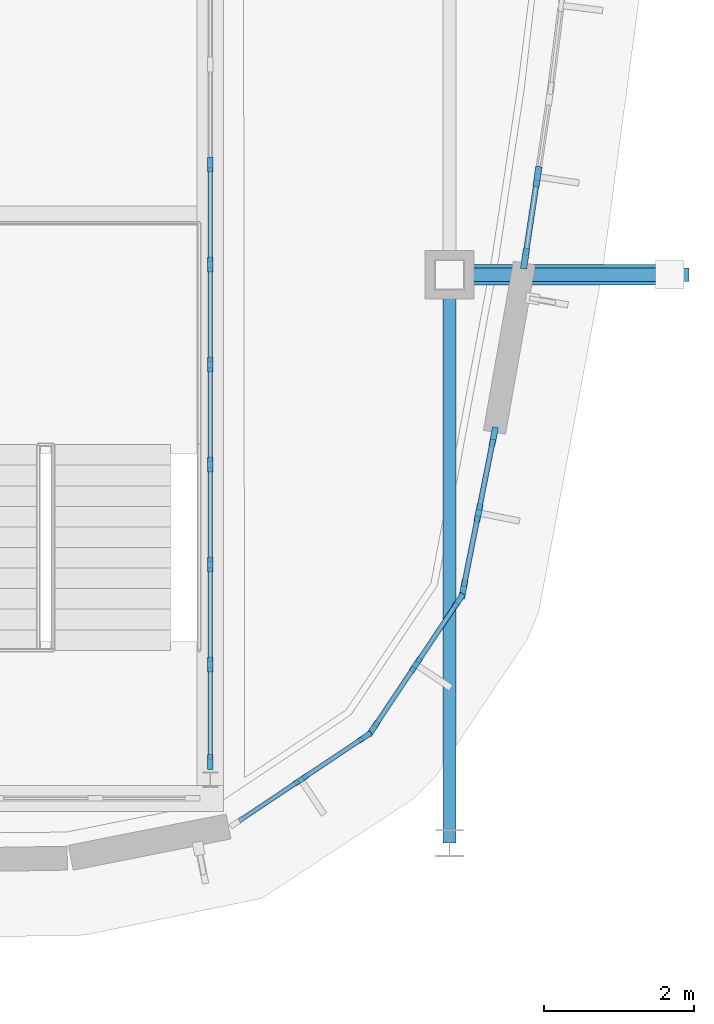
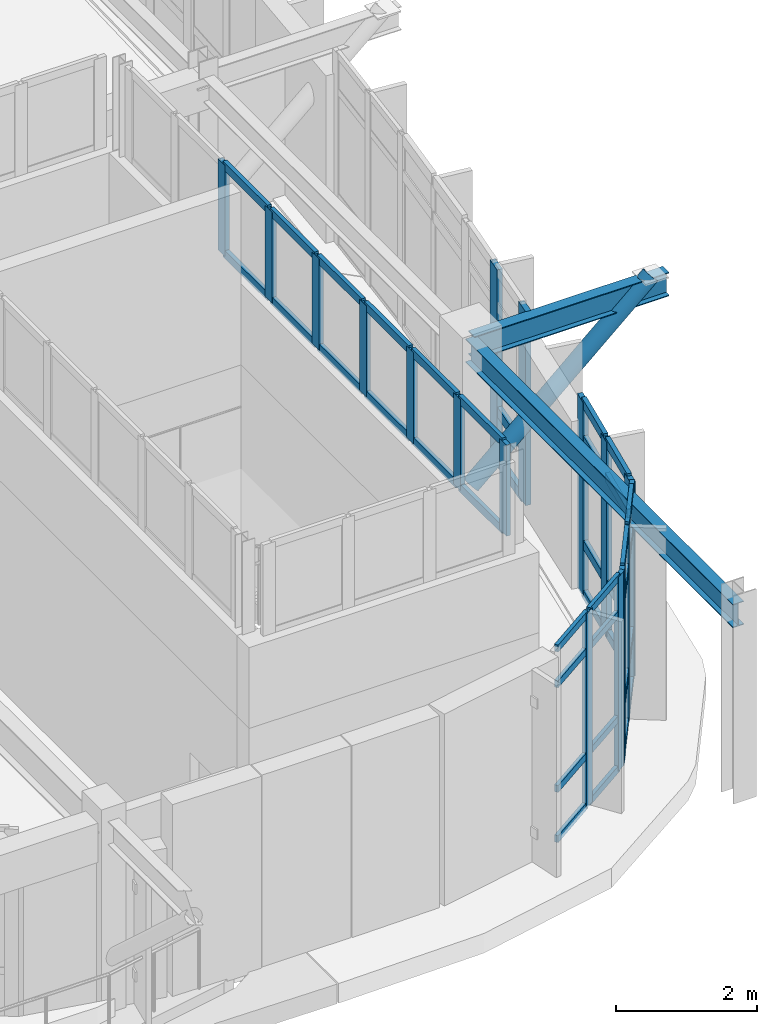
# One storey, part 5 of 20: 56 members, 2 beams, 5 elements without a shape of their own.
"""IFC4 building model written with IfcOpenShell, lengths in metres."""

from ifc_helpers import new_model, si_unit, direction, frame, origin, origin_2d, place, context, subcontext, project, spatial, rectangle, hollow_circle, i_section, extrude, material, material_profile, profile_set, type_object, element, aggregate, save


model = new_model("IFC4")

# Units and contexts
model_context = context("Model", 3, precision=1e-05, world=origin(), true_north=direction((0.0, 1.0)))
body_context = subcontext(model_context, "Body", "Model", "MODEL_VIEW")
ifc_project = project(units=[si_unit("LENGTHUNIT", "METRE"), si_unit("AREAUNIT", "SQUARE_METRE"), si_unit("VOLUMEUNIT", "CUBIC_METRE"), si_unit("PLANEANGLEUNIT", "RADIAN"), si_unit("MASSUNIT", "GRAM", prefix="KILO")], contexts=[model_context])

# Site, building, storey
site_placement = place(None, origin())
site = spatial("IfcSite", under=ifc_project, at=site_placement, CompositionType="ELEMENT")
building_placement = place(site_placement, origin())
building = spatial("IfcBuilding", under=site, at=building_placement, Name="Corveleigh Park Community Centre", CompositionType="ELEMENT")
storey_placement = place(building_placement, frame((0.0, 0.0, 19.800048828125)))
storey = spatial("IfcBuildingStorey", under=building, at=storey_placement, Name="L05", CompositionType="ELEMENT", Elevation=19.800048828125)

# Beams
ifc_material_1 = material(Name="Steel S355", Category="steel")
ifc_material_profile_1 = material_profile(ifc_material_1, i_section(OverallWidth=0.177978515625, OverallDepth=0.406494140625, WebThickness=0.0078125, FlangeThickness=0.0126953125, at=origin_2d()), Name="UKB 406x178x60", Category="steel")
ifc_profile_set_1 = profile_set([ifc_material_profile_1], Name="Steel S355")
beam_type_1 = type_object("IfcBeamType", Name="BM-STL-UKB406x60", PredefinedType="BEAM", material=ifc_profile_set_1)
beam_1_placement = place(storey_placement, frame((168.39990234375, 58.60498046875, 3.108642578125), z_axis=(0.0, 1.0, 0.0), x_axis=(-1.0, 0.0, 0.0)))
element("IfcBeam", 1, at=beam_1_placement, inside=storey, type_object=beam_type_1, Name="V4 Girder Y", PredefinedType="BEAM", context=body_context, shape_type="SweptSolid", body=[
    extrude(i_section(OverallWidth=0.177978515625, OverallDepth=0.406494140625, WebThickness=0.0078125, FlangeThickness=0.0126953125, at=origin_2d()), origin(), (0.0, 0.0, 1.0), 7.590087890625),
])
ifc_material_profile_2 = material_profile(ifc_material_1, i_section(OverallWidth=0.1787109375, OverallDepth=0.409423828125, WebThickness=0.0087890625, FlangeThickness=0.014404296875, at=origin_2d()), Name="UKB 406x178x67", Category="steel")
ifc_profile_set_2 = profile_set([ifc_material_profile_2], Name="Steel S355")
beam_type_2 = type_object("IfcBeamType", Name="BM-STL-UKB406x67", PredefinedType="BEAM", material=ifc_profile_set_2)
beam_2_placement = place(storey_placement, frame((168.409912109375, 66.199951171875, 3.1591796875), z_axis=(1.0, 0.0, 0.0), x_axis=(0.0, 1.0, 0.0)))
element("IfcBeam", 2, at=beam_2_placement, inside=storey, type_object=beam_type_2, Name="V4 Crown Overhang Strut X7Y1 Outrigger", PredefinedType="BEAM", context=body_context, shape_type="SweptSolid", body=[
    extrude(i_section(OverallWidth=0.1787109375, OverallDepth=0.409423828125, WebThickness=0.0087890625, FlangeThickness=0.014404296875, at=origin_2d()), origin(), (0.0, 0.0, 1.0), 3.190185546875),
])

# Curtain wall, members
ifc_material_2 = material(Name="Anodised aluminium 6063-T6", Category="aluminium")
curtain_wall_type = type_object("IfcCurtainWallType", Name="CW-SYS-V4-L03", PredefinedType="NOTDEFINED", material=ifc_material_2)
curtain_wall_1_placement = place(storey_placement, origin())
curtain_wall_1 = element("IfcCurtainWall", 3, at=curtain_wall_1_placement, inside=storey, type_object=curtain_wall_type, Name="V4 L05 Curtain Wall 471", PredefinedType="NOTDEFINED")
ifc_material_profile_3 = material_profile(ifc_material_2, rectangle(XDim=0.070068359375, YDim=0.199951171875, at=origin_2d()), Name="ALU-M70x200", Category="aluminium")
ifc_profile_set_3 = profile_set([ifc_material_profile_3], Name="Anodised aluminium 6063-T6")
member_type_1 = type_object("IfcMemberType", Name="CWM-70x200", PredefinedType="MULLION", material=ifc_profile_set_3)
member_1_placement = place(storey_placement, frame((167.267822265625, 60.021484375, 0.0), z_axis=(0.0, 0.0, 1.0), x_axis=(0.555458443376, -0.831544296886, 0.0)))
member_1 = element("IfcMember", 4, at=member_1_placement, type_object=member_type_1, Name="CW09 mullion 1", PredefinedType="MULLION", context=body_context, shape_type="SweptSolid", body=[
    extrude(rectangle(XDim=0.070068359375, YDim=0.199951171875, at=origin_2d()), origin(), (0.0, 0.0, 1.0), 3.364013671875),
])
member_2_placement = place(storey_placement, frame((166.41162109375, 59.449462890625, 0.0), z_axis=(0.0, 0.0, 1.0), x_axis=(0.555458443376, -0.831544296886, 0.0)))
member_2 = element("IfcMember", 5, at=member_2_placement, type_object=member_type_1, Name="CW09 mullion 2", PredefinedType="MULLION", context=body_context, shape_type="SweptSolid", body=[
    extrude(rectangle(XDim=0.070068359375, YDim=0.199951171875, at=origin_2d()), origin(), (0.0, 0.0, 1.0), 3.364013671875),
])

curtain_wall_2_placement = place(storey_placement, origin())
curtain_wall_2 = element("IfcCurtainWall", 6, at=curtain_wall_2_placement, inside=storey, type_object=curtain_wall_type, Name="Crown Lantern E Clerestory", PredefinedType="NOTDEFINED")
member_3_placement = place(storey_placement, frame((165.199951171875, 59.68505859375, 5.0), z_axis=(0.0, 0.0, 1.0), x_axis=(-1.0, 0.0, 0.0)))
member_3 = element("IfcMember", 7, at=member_3_placement, type_object=member_type_1, Name="CW09 mullion 1", PredefinedType="MULLION", context=body_context, shape_type="SweptSolid", body=[
    extrude(rectangle(XDim=0.070068359375, YDim=0.199951171875, at=origin_2d()), origin(), (0.0, 0.0, 1.0), 1.579833984375),
])
member_4_placement = place(storey_placement, frame((165.199951171875, 60.987548828125, 5.0), z_axis=(0.0, 0.0, 1.0), x_axis=(-1.0, 0.0, 0.0)))
member_4 = element("IfcMember", 8, at=member_4_placement, type_object=member_type_1, Name="CW09 mullion 2", PredefinedType="MULLION", context=body_context, shape_type="SweptSolid", body=[
    extrude(rectangle(XDim=0.070068359375, YDim=0.199951171875, at=origin_2d()), origin(), (0.0, 0.0, 1.0), 1.579833984375),
])
member_5_placement = place(storey_placement, frame((165.199951171875, 62.324951171875, 5.0), z_axis=(0.0, 0.0, 1.0), x_axis=(-1.0, 0.0, 0.0)))
member_5 = element("IfcMember", 9, at=member_5_placement, type_object=member_type_1, Name="CW09 mullion 3", PredefinedType="MULLION", context=body_context, shape_type="SweptSolid", body=[
    extrude(rectangle(XDim=0.070068359375, YDim=0.199951171875, at=origin_2d()), origin(), (0.0, 0.0, 1.0), 1.579833984375),
])
member_6_placement = place(storey_placement, frame((165.199951171875, 63.66259765625, 5.0), z_axis=(0.0, 0.0, 1.0), x_axis=(-1.0, 0.0, 0.0)))
member_6 = element("IfcMember", 10, at=member_6_placement, type_object=member_type_1, Name="CW09 mullion 4", PredefinedType="MULLION", context=body_context, shape_type="SweptSolid", body=[
    extrude(rectangle(XDim=0.070068359375, YDim=0.199951171875, at=origin_2d()), origin(), (0.0, 0.0, 1.0), 1.579833984375),
])
member_7_placement = place(storey_placement, frame((165.199951171875, 65.0, 5.0), z_axis=(0.0, 0.0, 1.0), x_axis=(-1.0, 0.0, 0.0)))
member_7 = element("IfcMember", 11, at=member_7_placement, type_object=member_type_1, Name="CW09 mullion 5", PredefinedType="MULLION", context=body_context, shape_type="SweptSolid", body=[
    extrude(rectangle(XDim=0.070068359375, YDim=0.199951171875, at=origin_2d()), origin(), (0.0, 0.0, 1.0), 1.579833984375),
])
member_8_placement = place(storey_placement, frame((165.199951171875, 66.33740234375, 5.0), z_axis=(0.0, 0.0, 1.0), x_axis=(-1.0, 0.0, 0.0)))
member_8 = element("IfcMember", 12, at=member_8_placement, type_object=member_type_1, Name="CW09 mullion 6", PredefinedType="MULLION", context=body_context, shape_type="SweptSolid", body=[
    extrude(rectangle(XDim=0.070068359375, YDim=0.199951171875, at=origin_2d()), origin(), (0.0, 0.0, 1.0), 1.579833984375),
])
member_9_placement = place(storey_placement, frame((165.199951171875, 67.675048828125, 5.0), z_axis=(0.0, 0.0, 1.0), x_axis=(-1.0, 0.0, 0.0)))
member_9 = element("IfcMember", 13, at=member_9_placement, type_object=member_type_1, Name="CW09 mullion 7", PredefinedType="MULLION", context=body_context, shape_type="SweptSolid", body=[
    extrude(rectangle(XDim=0.070068359375, YDim=0.199951171875, at=origin_2d()), origin(), (0.0, 0.0, 1.0), 1.579833984375),
])

curtain_wall_3_placement = place(storey_placement, origin())
curtain_wall_3 = element("IfcCurtainWall", 14, at=curtain_wall_3_placement, inside=storey, type_object=curtain_wall_type, Name="V4 L05 Curtain Wall 472", PredefinedType="NOTDEFINED")
ifc_material_profile_4 = material_profile(ifc_material_2, rectangle(XDim=0.074951171875, YDim=0.219970703125, at=origin_2d()), Name="ALU-M75x220", Category="aluminium")
ifc_profile_set_4 = profile_set([ifc_material_profile_4], Name="Anodised aluminium 6063-T6")
member_type_2 = type_object("IfcMemberType", Name="CWM-75x220", PredefinedType="MULLION", material=ifc_profile_set_4)
member_10_placement = place(storey_placement, frame((168.521240234375, 61.8427734375, 0.0), z_axis=(0.0, 0.0, 1.0), x_axis=(0.831544296886, -0.555458443376, 0.0)))
member_10 = element("IfcMember", 15, at=member_10_placement, type_object=member_type_2, Name="CW09 mullion 1", PredefinedType="MULLION", context=body_context, shape_type="SweptSolid", body=[
    extrude(rectangle(XDim=0.074951171875, YDim=0.219970703125, at=origin_2d()), origin(), (0.0, 0.0, 1.0), 3.364013671875),
])
member_11_placement = place(storey_placement, frame((167.950439453125, 60.988525390625, 0.0), z_axis=(0.0, 0.0, 1.0), x_axis=(0.831544296886, -0.555458443376, 0.0)))
member_11 = element("IfcMember", 16, at=member_11_placement, type_object=member_type_2, Name="CW09 mullion 2", PredefinedType="MULLION", context=body_context, shape_type="SweptSolid", body=[
    extrude(rectangle(XDim=0.074951171875, YDim=0.219970703125, at=origin_2d()), origin(), (0.0, 0.0, 1.0), 3.364013671875),
])
member_12_placement = place(storey_placement, frame((167.3798828125, 60.13427734375, 0.0), z_axis=(0.0, 0.0, 1.0), x_axis=(0.831544296886, -0.555458443376, 0.0)))
member_12 = element("IfcMember", 17, at=member_12_placement, type_object=member_type_2, Name="CW09 mullion 3", PredefinedType="MULLION", context=body_context, shape_type="SweptSolid", body=[
    extrude(rectangle(XDim=0.074951171875, YDim=0.219970703125, at=origin_2d()), origin(), (0.0, 0.0, 1.0), 3.364013671875),
])

curtain_wall_4_placement = place(storey_placement, origin())
curtain_wall_4 = element("IfcCurtainWall", 18, at=curtain_wall_4_placement, inside=storey, type_object=curtain_wall_type, Name="V4 L05 Curtain Wall 473", PredefinedType="NOTDEFINED")
ifc_material_profile_5 = material_profile(ifc_material_2, rectangle(XDim=0.080078125, YDim=0.25, at=origin_2d()), Name="ALU-M80x250", Category="aluminium")
ifc_profile_set_5 = profile_set([ifc_material_profile_5], Name="Anodised aluminium 6063-T6")
member_type_3 = type_object("IfcMemberType", Name="CWM-80x250", PredefinedType="MULLION", material=ifc_profile_set_5)
member_13_placement = place(storey_placement, frame((168.990234375, 64.040771484375, 0.0), z_axis=(0.0, 0.0, 1.0), x_axis=(0.980846064785, -0.194784489103, 0.0)))
member_13 = element("IfcMember", 19, at=member_13_placement, type_object=member_type_3, Name="CW09 mullion 1", PredefinedType="MULLION", context=body_context, shape_type="SweptSolid", body=[
    extrude(rectangle(XDim=0.080078125, YDim=0.25, at=origin_2d()), origin(), (0.0, 0.0, 1.0), 3.364013671875),
])
member_14_placement = place(storey_placement, frame((168.787109375, 63.017578125, 0.0), z_axis=(0.0, 0.0, 1.0), x_axis=(0.980846064785, -0.194784489103, 0.0)))
member_14 = element("IfcMember", 20, at=member_14_placement, type_object=member_type_3, Name="CW09 mullion 2", PredefinedType="MULLION", context=body_context, shape_type="SweptSolid", body=[
    extrude(rectangle(XDim=0.080078125, YDim=0.25, at=origin_2d()), origin(), (0.0, 0.0, 1.0), 3.364013671875),
])
member_15_placement = place(storey_placement, frame((168.583740234375, 61.994140625, 0.0), z_axis=(0.0, 0.0, 1.0), x_axis=(0.980846064785, -0.194784489103, 0.0)))
member_15 = element("IfcMember", 21, at=member_15_placement, type_object=member_type_3, Name="CW09 mullion 3", PredefinedType="MULLION", context=body_context, shape_type="SweptSolid", body=[
    extrude(rectangle(XDim=0.080078125, YDim=0.25, at=origin_2d()), origin(), (0.0, 0.0, 1.0), 3.364013671875),
])

curtain_wall_5_placement = place(storey_placement, origin())
curtain_wall_5 = element("IfcCurtainWall", 22, at=curtain_wall_5_placement, inside=storey, type_object=curtain_wall_type, Name="V4 L05 Curtain Wall 474", PredefinedType="NOTDEFINED")
ifc_material_profile_6 = material_profile(ifc_material_2, rectangle(XDim=0.0849609375, YDim=0.27490234375, at=origin_2d()), Name="ALU-M85x275", Category="aluminium")
ifc_profile_set_6 = profile_set([ifc_material_profile_6], Name="Anodised aluminium 6063-T6")
member_type_4 = type_object("IfcMemberType", Name="CWM-85x275", PredefinedType="MULLION", material=ifc_profile_set_6)
member_16_placement = place(storey_placement, frame((169.575439453125, 67.512939453125, 0.0), z_axis=(0.0, 0.0, 1.0), x_axis=(0.988795450812, -0.149276778011, 0.0)))
member_16 = element("IfcMember", 23, at=member_16_placement, type_object=member_type_4, Name="CW09 mullion 2", PredefinedType="MULLION", context=body_context, shape_type="SweptSolid", body=[
    extrude(rectangle(XDim=0.0849609375, YDim=0.27490234375, at=origin_2d()), origin(), (0.0, 0.0, 1.0), 3.364013671875),
])
member_17_placement = place(storey_placement, frame((169.410400390625, 66.4189453125, 0.0), z_axis=(0.0, 0.0, 1.0), x_axis=(0.988795450812, -0.149276778011, 0.0)))
member_17 = element("IfcMember", 24, at=member_17_placement, type_object=member_type_4, Name="CW09 mullion 3", PredefinedType="MULLION", context=body_context, shape_type="SweptSolid", body=[
    extrude(rectangle(XDim=0.0849609375, YDim=0.27490234375, at=origin_2d()), origin(), (0.0, 0.0, 1.0), 3.364013671875),
])

# Member
ifc_material_profile_7 = material_profile(ifc_material_2, rectangle(XDim=0.06005859375, YDim=0.1201171875, at=origin_2d()), Name="ALU-T60x120", Category="aluminium")
ifc_profile_set_7 = profile_set([ifc_material_profile_7], Name="Anodised aluminium 6063-T6")
member_type_5 = type_object("IfcMemberType", Name="CWT-60x120", PredefinedType="USERDEFINED", material=ifc_profile_set_7)
member_18_placement = place(storey_placement, frame((167.23876953125, 60.002197265625, 0.030029296875), z_axis=(-0.831502036743, -0.555521703349, 0.0), x_axis=(0.555521703349, -0.831502036743, 0.0)))
member_18 = element("IfcMember", 25, at=member_18_placement, type_object=member_type_5, Name="CW09 transom 1.1", ObjectType="TRANSOM", PredefinedType="USERDEFINED", context=body_context, shape_type="SweptSolid", body=[
    extrude(rectangle(XDim=0.06005859375, YDim=0.1201171875, at=origin_2d()), origin(), (0.0, 0.0, 1.0), 0.959716796875),
])

member_19_placement = place(storey_placement, frame((167.23876953125, 60.002197265625, 0.89990234375), z_axis=(-0.831502036743, -0.555521703349, 0.0), x_axis=(0.555521703349, -0.831502036743, 0.0)))
member_19 = element("IfcMember", 26, at=member_19_placement, type_object=member_type_5, Name="CW09 transom 1.2", ObjectType="TRANSOM", PredefinedType="USERDEFINED", context=body_context, shape_type="SweptSolid", body=[
    extrude(rectangle(XDim=0.06005859375, YDim=0.1201171875, at=origin_2d()), origin(), (0.0, 0.0, 1.0), 0.959716796875),
])

member_20_placement = place(storey_placement, frame((167.23876953125, 60.002197265625, 2.7138671875), z_axis=(-0.831502036743, -0.555521703349, 0.0), x_axis=(0.555521703349, -0.831502036743, 0.0)))
member_20 = element("IfcMember", 27, at=member_20_placement, type_object=member_type_5, Name="CW09 transom 1.3", ObjectType="TRANSOM", PredefinedType="USERDEFINED", context=body_context, shape_type="SweptSolid", body=[
    extrude(rectangle(XDim=0.06005859375, YDim=0.1201171875, at=origin_2d()), origin(), (0.0, 0.0, 1.0), 0.959716796875),
])

member_21_placement = place(storey_placement, frame((167.23876953125, 60.002197265625, 3.333984375), z_axis=(-0.831502036743, -0.555521703349, 0.0), x_axis=(0.555521703349, -0.831502036743, 0.0)))
member_21 = element("IfcMember", 28, at=member_21_placement, type_object=member_type_5, Name="CW09 transom 1.4", ObjectType="TRANSOM", PredefinedType="USERDEFINED", context=body_context, shape_type="SweptSolid", body=[
    extrude(rectangle(XDim=0.06005859375, YDim=0.1201171875, at=origin_2d()), origin(), (0.0, 0.0, 1.0), 0.959716796875),
])

member_22_placement = place(storey_placement, frame((166.38232421875, 59.43017578125, 0.030029296875), z_axis=(-0.831502036743, -0.555521703349, 0.0), x_axis=(0.555521703349, -0.831502036743, 0.0)))
member_22 = element("IfcMember", 29, at=member_22_placement, type_object=member_type_5, Name="CW09 transom 2.1", ObjectType="TRANSOM", PredefinedType="USERDEFINED", context=body_context, shape_type="SweptSolid", body=[
    extrude(rectangle(XDim=0.06005859375, YDim=0.1201171875, at=origin_2d()), origin(), (0.0, 0.0, 1.0), 0.959716796875),
])

member_23_placement = place(storey_placement, frame((166.38232421875, 59.43017578125, 0.89990234375), z_axis=(-0.831502036743, -0.555521703349, 0.0), x_axis=(0.555521703349, -0.831502036743, 0.0)))
member_23 = element("IfcMember", 30, at=member_23_placement, type_object=member_type_5, Name="CW09 transom 2.2", ObjectType="TRANSOM", PredefinedType="USERDEFINED", context=body_context, shape_type="SweptSolid", body=[
    extrude(rectangle(XDim=0.06005859375, YDim=0.1201171875, at=origin_2d()), origin(), (0.0, 0.0, 1.0), 0.959716796875),
])

member_24_placement = place(storey_placement, frame((166.38232421875, 59.43017578125, 2.7138671875), z_axis=(-0.831502036743, -0.555521703349, 0.0), x_axis=(0.555521703349, -0.831502036743, 0.0)))
member_24 = element("IfcMember", 31, at=member_24_placement, type_object=member_type_5, Name="CW09 transom 2.3", ObjectType="TRANSOM", PredefinedType="USERDEFINED", context=body_context, shape_type="SweptSolid", body=[
    extrude(rectangle(XDim=0.06005859375, YDim=0.1201171875, at=origin_2d()), origin(), (0.0, 0.0, 1.0), 0.959716796875),
])

member_25_placement = place(storey_placement, frame((166.38232421875, 59.43017578125, 3.333984375), z_axis=(-0.831502036743, -0.555521703349, 0.0), x_axis=(0.555521703349, -0.831502036743, 0.0)))
member_25 = element("IfcMember", 32, at=member_25_placement, type_object=member_type_5, Name="CW09 transom 2.4", ObjectType="TRANSOM", PredefinedType="USERDEFINED", context=body_context, shape_type="SweptSolid", body=[
    extrude(rectangle(XDim=0.06005859375, YDim=0.1201171875, at=origin_2d()), origin(), (0.0, 0.0, 1.0), 0.959716796875),
])

aggregate(curtain_wall_1, [member_1, member_2, member_18, member_19, member_20, member_21, member_22, member_23, member_24, member_25])

ifc_material_profile_8 = material_profile(ifc_material_2, rectangle(XDim=0.06494140625, YDim=0.139892578125, at=origin_2d()), Name="ALU-T65x140", Category="aluminium")
ifc_profile_set_8 = profile_set([ifc_material_profile_8], Name="Anodised aluminium 6063-T6")
member_type_6 = type_object("IfcMemberType", Name="CWT-65x140", PredefinedType="USERDEFINED", material=ifc_profile_set_8)
member_26_placement = place(storey_placement, frame((168.500244140625, 61.8115234375, 0.032470703125), z_axis=(-0.555410085958, -0.831576596843, 0.0), x_axis=(0.831576596843, -0.555410085958, 0.0)))
member_26 = element("IfcMember", 33, at=member_26_placement, type_object=member_type_6, Name="CW09 transom 1.1", ObjectType="TRANSOM", PredefinedType="USERDEFINED", context=body_context, shape_type="SweptSolid", body=[
    extrude(rectangle(XDim=0.06494140625, YDim=0.139892578125, at=origin_2d()), origin(), (0.0, 0.0, 1.0), 0.9521484375),
])

member_27_placement = place(storey_placement, frame((168.500244140625, 61.8115234375, 0.89990234375), z_axis=(-0.555410085958, -0.831576596843, 0.0), x_axis=(0.831576596843, -0.555410085958, 0.0)))
member_27 = element("IfcMember", 34, at=member_27_placement, type_object=member_type_6, Name="CW09 transom 1.2", ObjectType="TRANSOM", PredefinedType="USERDEFINED", context=body_context, shape_type="SweptSolid", body=[
    extrude(rectangle(XDim=0.06494140625, YDim=0.139892578125, at=origin_2d()), origin(), (0.0, 0.0, 1.0), 0.9521484375),
])

member_28_placement = place(storey_placement, frame((168.500244140625, 61.8115234375, 2.7138671875), z_axis=(-0.555410085958, -0.831576596843, 0.0), x_axis=(0.831576596843, -0.555410085958, 0.0)))
member_28 = element("IfcMember", 35, at=member_28_placement, type_object=member_type_6, Name="CW09 transom 1.3", ObjectType="TRANSOM", PredefinedType="USERDEFINED", context=body_context, shape_type="SweptSolid", body=[
    extrude(rectangle(XDim=0.06494140625, YDim=0.139892578125, at=origin_2d()), origin(), (0.0, 0.0, 1.0), 0.9521484375),
])

member_29_placement = place(storey_placement, frame((168.500244140625, 61.8115234375, 3.33154296875), z_axis=(-0.555410085958, -0.831576596843, 0.0), x_axis=(0.831576596843, -0.555410085958, 0.0)))
member_29 = element("IfcMember", 36, at=member_29_placement, type_object=member_type_6, Name="CW09 transom 1.4", ObjectType="TRANSOM", PredefinedType="USERDEFINED", context=body_context, shape_type="SweptSolid", body=[
    extrude(rectangle(XDim=0.06494140625, YDim=0.139892578125, at=origin_2d()), origin(), (0.0, 0.0, 1.0), 0.9521484375),
])

member_30_placement = place(storey_placement, frame((167.9296875, 60.957275390625, 0.032470703125), z_axis=(-0.555468951871, -0.831537277281, 0.0), x_axis=(0.831537277281, -0.555468951871, 0.0)))
member_30 = element("IfcMember", 37, at=member_30_placement, type_object=member_type_6, Name="CW09 transom 2.1", ObjectType="TRANSOM", PredefinedType="USERDEFINED", context=body_context, shape_type="SweptSolid", body=[
    extrude(rectangle(XDim=0.06494140625, YDim=0.139892578125, at=origin_2d()), origin(), (0.0, 0.0, 1.0), 0.952392578125),
])

member_31_placement = place(storey_placement, frame((167.9296875, 60.957275390625, 0.89990234375), z_axis=(-0.555468951871, -0.831537277281, 0.0), x_axis=(0.831537277281, -0.555468951871, 0.0)))
member_31 = element("IfcMember", 38, at=member_31_placement, type_object=member_type_6, Name="CW09 transom 2.2", ObjectType="TRANSOM", PredefinedType="USERDEFINED", context=body_context, shape_type="SweptSolid", body=[
    extrude(rectangle(XDim=0.06494140625, YDim=0.139892578125, at=origin_2d()), origin(), (0.0, 0.0, 1.0), 0.952392578125),
])

member_32_placement = place(storey_placement, frame((167.9296875, 60.957275390625, 2.7138671875), z_axis=(-0.555468951871, -0.831537277281, 0.0), x_axis=(0.831537277281, -0.555468951871, 0.0)))
member_32 = element("IfcMember", 39, at=member_32_placement, type_object=member_type_6, Name="CW09 transom 2.3", ObjectType="TRANSOM", PredefinedType="USERDEFINED", context=body_context, shape_type="SweptSolid", body=[
    extrude(rectangle(XDim=0.06494140625, YDim=0.139892578125, at=origin_2d()), origin(), (0.0, 0.0, 1.0), 0.952392578125),
])

member_33_placement = place(storey_placement, frame((167.9296875, 60.957275390625, 3.33154296875), z_axis=(-0.555468951871, -0.831537277281, 0.0), x_axis=(0.831537277281, -0.555468951871, 0.0)))
member_33 = element("IfcMember", 40, at=member_33_placement, type_object=member_type_6, Name="CW09 transom 2.4", ObjectType="TRANSOM", PredefinedType="USERDEFINED", context=body_context, shape_type="SweptSolid", body=[
    extrude(rectangle(XDim=0.06494140625, YDim=0.139892578125, at=origin_2d()), origin(), (0.0, 0.0, 1.0), 0.952392578125),
])

aggregate(curtain_wall_3, [member_10, member_11, member_12, member_26, member_27, member_28, member_29, member_30, member_31, member_32, member_33])

member_34_placement = place(storey_placement, frame((165.199951171875, 59.719970703125, 5.032470703125), z_axis=(0.0, 1.0, 0.0), x_axis=(-1.0, 0.0, 0.0)))
member_34 = element("IfcMember", 41, at=member_34_placement, type_object=member_type_6, Name="CW09 transom 1.1", ObjectType="TRANSOM", PredefinedType="USERDEFINED", context=body_context, shape_type="SweptSolid", body=[
    extrude(rectangle(XDim=0.06494140625, YDim=0.139892578125, at=origin_2d()), origin(), (0.0, 0.0, 1.0), 1.232421875),
])

member_35_placement = place(storey_placement, frame((165.199951171875, 59.719970703125, 6.54736328125), z_axis=(0.0, 1.0, 0.0), x_axis=(-1.0, 0.0, 0.0)))
member_35 = element("IfcMember", 42, at=member_35_placement, type_object=member_type_6, Name="CW09 transom 1.2", ObjectType="TRANSOM", PredefinedType="USERDEFINED", context=body_context, shape_type="SweptSolid", body=[
    extrude(rectangle(XDim=0.06494140625, YDim=0.139892578125, at=origin_2d()), origin(), (0.0, 0.0, 1.0), 1.232421875),
])

member_36_placement = place(storey_placement, frame((165.199951171875, 61.0224609375, 5.032470703125), z_axis=(0.0, 1.0, 0.0), x_axis=(-1.0, 0.0, 0.0)))
member_36 = element("IfcMember", 43, at=member_36_placement, type_object=member_type_6, Name="CW09 transom 2.1", ObjectType="TRANSOM", PredefinedType="USERDEFINED", context=body_context, shape_type="SweptSolid", body=[
    extrude(rectangle(XDim=0.06494140625, YDim=0.139892578125, at=origin_2d()), origin(), (0.0, 0.0, 1.0), 1.267578125),
])

member_37_placement = place(storey_placement, frame((165.199951171875, 61.0224609375, 6.54736328125), z_axis=(0.0, 1.0, 0.0), x_axis=(-1.0, 0.0, 0.0)))
member_37 = element("IfcMember", 44, at=member_37_placement, type_object=member_type_6, Name="CW09 transom 2.2", ObjectType="TRANSOM", PredefinedType="USERDEFINED", context=body_context, shape_type="SweptSolid", body=[
    extrude(rectangle(XDim=0.06494140625, YDim=0.139892578125, at=origin_2d()), origin(), (0.0, 0.0, 1.0), 1.267578125),
])

member_38_placement = place(storey_placement, frame((165.199951171875, 62.360107421875, 5.032470703125), z_axis=(0.0, 1.0, 0.0), x_axis=(-1.0, 0.0, 0.0)))
member_38 = element("IfcMember", 45, at=member_38_placement, type_object=member_type_6, Name="CW09 transom 3.1", ObjectType="TRANSOM", PredefinedType="USERDEFINED", context=body_context, shape_type="SweptSolid", body=[
    extrude(rectangle(XDim=0.06494140625, YDim=0.139892578125, at=origin_2d()), origin(), (0.0, 0.0, 1.0), 1.267333984375),
])

member_39_placement = place(storey_placement, frame((165.199951171875, 62.360107421875, 6.54736328125), z_axis=(0.0, 1.0, 0.0), x_axis=(-1.0, 0.0, 0.0)))
member_39 = element("IfcMember", 46, at=member_39_placement, type_object=member_type_6, Name="CW09 transom 3.2", ObjectType="TRANSOM", PredefinedType="USERDEFINED", context=body_context, shape_type="SweptSolid", body=[
    extrude(rectangle(XDim=0.06494140625, YDim=0.139892578125, at=origin_2d()), origin(), (0.0, 0.0, 1.0), 1.267333984375),
])

member_40_placement = place(storey_placement, frame((165.199951171875, 63.697509765625, 5.032470703125), z_axis=(0.0, 1.0, 0.0), x_axis=(-1.0, 0.0, 0.0)))
member_40 = element("IfcMember", 47, at=member_40_placement, type_object=member_type_6, Name="CW09 transom 4.1", ObjectType="TRANSOM", PredefinedType="USERDEFINED", context=body_context, shape_type="SweptSolid", body=[
    extrude(rectangle(XDim=0.06494140625, YDim=0.139892578125, at=origin_2d()), origin(), (0.0, 0.0, 1.0), 1.267578125),
])

member_41_placement = place(storey_placement, frame((165.199951171875, 63.697509765625, 6.54736328125), z_axis=(0.0, 1.0, 0.0), x_axis=(-1.0, 0.0, 0.0)))
member_41 = element("IfcMember", 48, at=member_41_placement, type_object=member_type_6, Name="CW09 transom 4.2", ObjectType="TRANSOM", PredefinedType="USERDEFINED", context=body_context, shape_type="SweptSolid", body=[
    extrude(rectangle(XDim=0.06494140625, YDim=0.139892578125, at=origin_2d()), origin(), (0.0, 0.0, 1.0), 1.267578125),
])

member_42_placement = place(storey_placement, frame((165.199951171875, 65.034912109375, 5.032470703125), z_axis=(0.0, 1.0, 0.0), x_axis=(-1.0, 0.0, 0.0)))
member_42 = element("IfcMember", 49, at=member_42_placement, type_object=member_type_6, Name="CW09 transom 5.1", ObjectType="TRANSOM", PredefinedType="USERDEFINED", context=body_context, shape_type="SweptSolid", body=[
    extrude(rectangle(XDim=0.06494140625, YDim=0.139892578125, at=origin_2d()), origin(), (0.0, 0.0, 1.0), 1.267578125),
])

member_43_placement = place(storey_placement, frame((165.199951171875, 65.034912109375, 6.54736328125), z_axis=(0.0, 1.0, 0.0), x_axis=(-1.0, 0.0, 0.0)))
member_43 = element("IfcMember", 50, at=member_43_placement, type_object=member_type_6, Name="CW09 transom 5.2", ObjectType="TRANSOM", PredefinedType="USERDEFINED", context=body_context, shape_type="SweptSolid", body=[
    extrude(rectangle(XDim=0.06494140625, YDim=0.139892578125, at=origin_2d()), origin(), (0.0, 0.0, 1.0), 1.267578125),
])

member_44_placement = place(storey_placement, frame((165.199951171875, 66.37255859375, 5.032470703125), z_axis=(0.0, 1.0, 0.0), x_axis=(-1.0, 0.0, 0.0)))
member_44 = element("IfcMember", 51, at=member_44_placement, type_object=member_type_6, Name="CW09 transom 6.1", ObjectType="TRANSOM", PredefinedType="USERDEFINED", context=body_context, shape_type="SweptSolid", body=[
    extrude(rectangle(XDim=0.06494140625, YDim=0.139892578125, at=origin_2d()), origin(), (0.0, 0.0, 1.0), 1.267333984375),
])

member_45_placement = place(storey_placement, frame((165.199951171875, 66.37255859375, 6.54736328125), z_axis=(0.0, 1.0, 0.0), x_axis=(-1.0, 0.0, 0.0)))
member_45 = element("IfcMember", 52, at=member_45_placement, type_object=member_type_6, Name="CW09 transom 6.2", ObjectType="TRANSOM", PredefinedType="USERDEFINED", context=body_context, shape_type="SweptSolid", body=[
    extrude(rectangle(XDim=0.06494140625, YDim=0.139892578125, at=origin_2d()), origin(), (0.0, 0.0, 1.0), 1.267333984375),
])

aggregate(curtain_wall_2, [member_3, member_4, member_5, member_6, member_7, member_8, member_9, member_34, member_35, member_36, member_37, member_38, member_39, member_40, member_41, member_42, member_43, member_44, member_45])

ifc_material_profile_9 = material_profile(ifc_material_2, rectangle(XDim=0.070068359375, YDim=0.155029296875, at=origin_2d()), Name="ALU-T70x155", Category="aluminium")
ifc_profile_set_9 = profile_set([ifc_material_profile_9], Name="Anodised aluminium 6063-T6")
member_type_7 = type_object("IfcMemberType", Name="CWT-70x155", PredefinedType="USERDEFINED", material=ifc_profile_set_9)
member_46_placement = place(storey_placement, frame((168.982421875, 64.00146484375, 0.034912109375), z_axis=(-0.194897508758, -0.980823613643, 0.0), x_axis=(0.980823613643, -0.194897508758, 0.0)))
member_46 = element("IfcMember", 53, at=member_46_placement, type_object=member_type_7, Name="CW09 transom 1.1", ObjectType="TRANSOM", PredefinedType="USERDEFINED", context=body_context, shape_type="SweptSolid", body=[
    extrude(rectangle(XDim=0.070068359375, YDim=0.155029296875, at=origin_2d()), origin(), (0.0, 0.0, 1.0), 0.96337890625),
])

member_47_placement = place(storey_placement, frame((168.982421875, 64.00146484375, 0.89990234375), z_axis=(-0.194897508758, -0.980823613643, 0.0), x_axis=(0.980823613643, -0.194897508758, 0.0)))
member_47 = element("IfcMember", 54, at=member_47_placement, type_object=member_type_7, Name="CW09 transom 1.2", ObjectType="TRANSOM", PredefinedType="USERDEFINED", context=body_context, shape_type="SweptSolid", body=[
    extrude(rectangle(XDim=0.070068359375, YDim=0.155029296875, at=origin_2d()), origin(), (0.0, 0.0, 1.0), 0.96337890625),
])

member_48_placement = place(storey_placement, frame((168.982421875, 64.00146484375, 2.7138671875), z_axis=(-0.194897508758, -0.980823613643, 0.0), x_axis=(0.980823613643, -0.194897508758, 0.0)))
member_48 = element("IfcMember", 55, at=member_48_placement, type_object=member_type_7, Name="CW09 transom 1.3", ObjectType="TRANSOM", PredefinedType="USERDEFINED", context=body_context, shape_type="SweptSolid", body=[
    extrude(rectangle(XDim=0.070068359375, YDim=0.155029296875, at=origin_2d()), origin(), (0.0, 0.0, 1.0), 0.96337890625),
])

member_49_placement = place(storey_placement, frame((168.982421875, 64.00146484375, 3.328857421875), z_axis=(-0.194897508758, -0.980823613643, 0.0), x_axis=(0.980823613643, -0.194897508758, 0.0)))
member_49 = element("IfcMember", 56, at=member_49_placement, type_object=member_type_7, Name="CW09 transom 1.4", ObjectType="TRANSOM", PredefinedType="USERDEFINED", context=body_context, shape_type="SweptSolid", body=[
    extrude(rectangle(XDim=0.070068359375, YDim=0.155029296875, at=origin_2d()), origin(), (0.0, 0.0, 1.0), 0.96337890625),
])

member_50_placement = place(storey_placement, frame((168.779296875, 62.978271484375, 0.034912109375), z_axis=(-0.194897508758, -0.980823613643, 0.0), x_axis=(0.980823613643, -0.194897508758, 0.0)))
member_50 = element("IfcMember", 57, at=member_50_placement, type_object=member_type_7, Name="CW09 transom 2.1", ObjectType="TRANSOM", PredefinedType="USERDEFINED", context=body_context, shape_type="SweptSolid", body=[
    extrude(rectangle(XDim=0.070068359375, YDim=0.155029296875, at=origin_2d()), origin(), (0.0, 0.0, 1.0), 0.96337890625),
])

member_51_placement = place(storey_placement, frame((168.779296875, 62.978271484375, 0.89990234375), z_axis=(-0.194897508758, -0.980823613643, 0.0), x_axis=(0.980823613643, -0.194897508758, 0.0)))
member_51 = element("IfcMember", 58, at=member_51_placement, type_object=member_type_7, Name="CW09 transom 2.2", ObjectType="TRANSOM", PredefinedType="USERDEFINED", context=body_context, shape_type="SweptSolid", body=[
    extrude(rectangle(XDim=0.070068359375, YDim=0.155029296875, at=origin_2d()), origin(), (0.0, 0.0, 1.0), 0.96337890625),
])

member_52_placement = place(storey_placement, frame((168.779296875, 62.978271484375, 2.7138671875), z_axis=(-0.194897508758, -0.980823613643, 0.0), x_axis=(0.980823613643, -0.194897508758, 0.0)))
member_52 = element("IfcMember", 59, at=member_52_placement, type_object=member_type_7, Name="CW09 transom 2.3", ObjectType="TRANSOM", PredefinedType="USERDEFINED", context=body_context, shape_type="SweptSolid", body=[
    extrude(rectangle(XDim=0.070068359375, YDim=0.155029296875, at=origin_2d()), origin(), (0.0, 0.0, 1.0), 0.96337890625),
])

member_53_placement = place(storey_placement, frame((168.779296875, 62.978271484375, 3.328857421875), z_axis=(-0.194897508758, -0.980823613643, 0.0), x_axis=(0.980823613643, -0.194897508758, 0.0)))
member_53 = element("IfcMember", 60, at=member_53_placement, type_object=member_type_7, Name="CW09 transom 2.4", ObjectType="TRANSOM", PredefinedType="USERDEFINED", context=body_context, shape_type="SweptSolid", body=[
    extrude(rectangle(XDim=0.070068359375, YDim=0.155029296875, at=origin_2d()), origin(), (0.0, 0.0, 1.0), 0.96337890625),
])

aggregate(curtain_wall_4, [member_13, member_14, member_15, member_46, member_47, member_48, member_49, member_50, member_51, member_52, member_53])

ifc_material_profile_10 = material_profile(ifc_material_2, rectangle(XDim=0.074951171875, YDim=0.175048828125, at=origin_2d()), Name="ALU-T75x175", Category="aluminium")
ifc_profile_set_10 = profile_set([ifc_material_profile_10], Name="Anodised aluminium 6063-T6")
member_type_8 = type_object("IfcMemberType", Name="CWT-75x175", PredefinedType="USERDEFINED", material=ifc_profile_set_10)
member_54_placement = place(storey_placement, frame((169.569091796875, 67.470947265625, 0.037353515625), z_axis=(-0.14914686824, -0.988815054342, 0.0), x_axis=(0.988815054342, -0.14914686824, 0.0)))
member_54 = element("IfcMember", 61, at=member_54_placement, type_object=member_type_8, Name="CW09 transom 2.1", ObjectType="TRANSOM", PredefinedType="USERDEFINED", context=body_context, shape_type="SweptSolid", body=[
    extrude(rectangle(XDim=0.074951171875, YDim=0.175048828125, at=origin_2d()), origin(), (0.0, 0.0, 1.0), 1.021484375),
])

member_55_placement = place(storey_placement, frame((169.569091796875, 67.470947265625, 0.89990234375), z_axis=(-0.14914686824, -0.988815054342, 0.0), x_axis=(0.988815054342, -0.14914686824, 0.0)))
member_55 = element("IfcMember", 62, at=member_55_placement, type_object=member_type_8, Name="CW09 transom 2.2", ObjectType="TRANSOM", PredefinedType="USERDEFINED", context=body_context, shape_type="SweptSolid", body=[
    extrude(rectangle(XDim=0.074951171875, YDim=0.175048828125, at=origin_2d()), origin(), (0.0, 0.0, 1.0), 1.021484375),
])

aggregate(curtain_wall_5, [member_16, member_17, member_54, member_55])

ifc_material_profile_11 = material_profile(ifc_material_1, hollow_circle(Radius=0.136474609375, WallThickness=0.012451171875, at=origin_2d()), Name="CHS 273.0x12.5", Category="steel")
ifc_profile_set_11 = profile_set([ifc_material_profile_11], Name="Steel S355")
member_type_9 = type_object("IfcMemberType", Name="MEM-STR-CHS273E", PredefinedType="STRUT", material=ifc_profile_set_11)
member_56_placement = place(storey_placement, frame((168.39990234375, 66.199951171875, 0.75), z_axis=(0.748675336061, 0.0, 0.662936830455), x_axis=(0.0, 1.0, 0.0)))
element("IfcMember", 63, at=member_56_placement, inside=storey, type_object=member_type_9, Name="V4 Crown Overhang Strut X7Y1", PredefinedType="STRUT", context=body_context, shape_type="SweptSolid", body=[
    extrude(hollow_circle(Radius=0.136474609375, WallThickness=0.012451171875, at=origin_2d()), origin(), (0.0, 0.0, 1.0), 3.932373046875),
])

save(model, "model.ifc")
